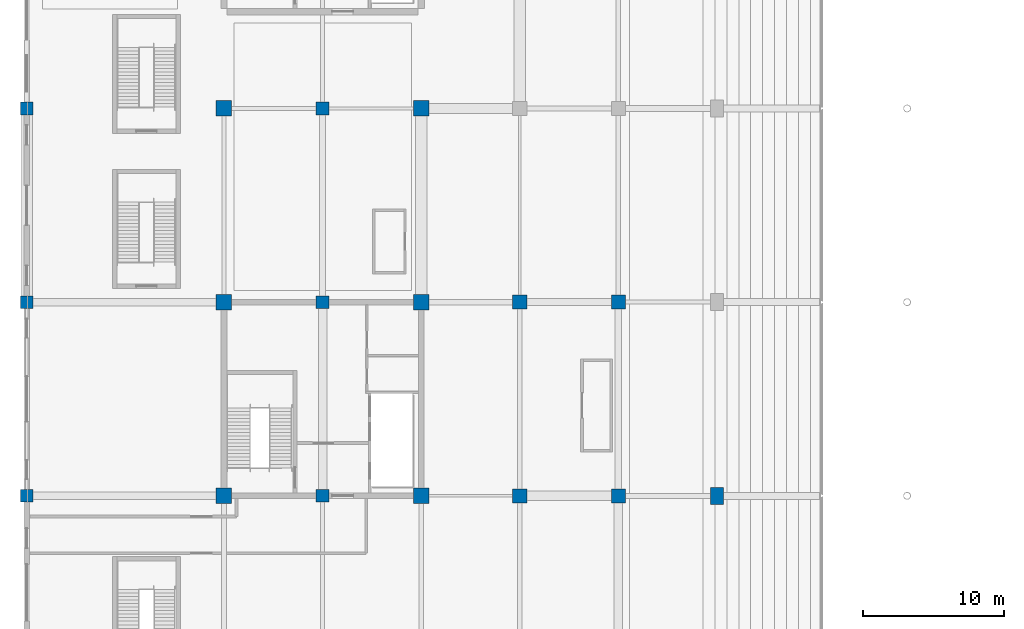
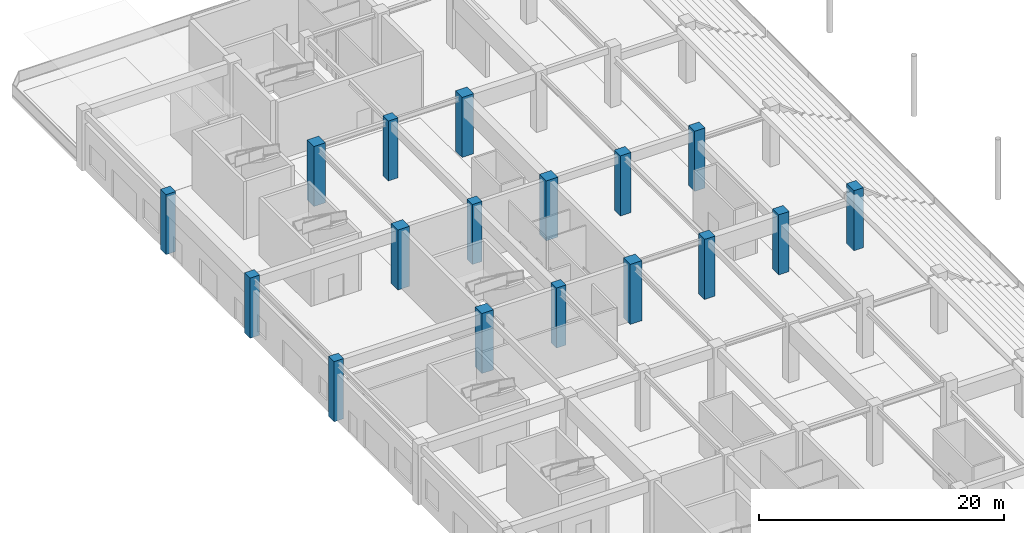
# One storey, part 7 of 73: 17 columns.
"""IFC4 building model written with IfcOpenShell, lengths in metres."""

from ifc_helpers import new_model, si_unit, direction, frame, origin, origin_2d, place, context, subcontext, project, spatial, rectangle, extrude, material, material_profile, profile_set, type_object, element, save


model = new_model("IFC4")

# Units and contexts
model_context = context("Model", 3, precision=1e-05, world=origin(), true_north=direction((0.0, 1.0)))
body_context = subcontext(model_context, "Body", "Model", "MODEL_VIEW")
ifc_project = project(units=[si_unit("LENGTHUNIT", "METRE"), si_unit("AREAUNIT", "SQUARE_METRE"), si_unit("VOLUMEUNIT", "CUBIC_METRE"), si_unit("PLANEANGLEUNIT", "RADIAN"), si_unit("MASSUNIT", "GRAM", prefix="KILO")], contexts=[model_context])

# Site, building, storey
site_placement = place(None, origin())
site = spatial("IfcSite", under=ifc_project, at=site_placement, CompositionType="ELEMENT")
building_placement = place(site_placement, origin())
building = spatial("IfcBuilding", under=site, at=building_placement, Name="Linyun Crest Stadium", CompositionType="ELEMENT")
storey_placement = place(building_placement, origin())
storey = spatial("IfcBuildingStorey", under=building, at=storey_placement, Name="L01", CompositionType="ELEMENT", Elevation=0.0)

# Columns
ifc_material_1 = material(Name="Concrete C50", Category="concrete")
ifc_material_profile_1 = material_profile(ifc_material_1, rectangle(XDim=0.89990234375, YDim=0.89990234375, at=origin_2d()), Name="RC 900x900")
ifc_profile_set_1 = profile_set([ifc_material_profile_1], Name="Concrete C50")
column_type_1 = type_object("IfcColumnType", Name="C04", PredefinedType="COLUMN", material=ifc_profile_set_1)
for number, where, z_axis, x_axis, name in (
    (1, (-98.0, 2.125, 0.0), (0.0, 0.0, 1.0), (1.0, 0.0, 0.0), "Column C04 L01 26"),
    (2, (-98.0, 15.875, 0.0), (0.0, 0.0, 1.0), (1.0, 0.0, 0.0), "Column C04 L01 32"),
    (3, (-98.0, 29.625, 0.0), (0.0, 0.0, 1.0), (1.0, 0.0, 0.0), "Column C04 L01 38"),
    (4, (-77.0, 2.125, 0.0), (0.0, 0.0, 1.0), (1.0, 0.0, 0.0), "Column C04 L01 126"),
    (5, (-77.0, 15.875, 0.0), (0.0, 0.0, 1.0), (1.0, 0.0, 0.0), "Column C04 L01 131"),
    (6, (-77.0, 29.625, 0.0), (0.0, 0.0, 1.0), (1.0, 0.0, 0.0), "Column C04 L01 136"),
):
    element("IfcColumn", number, at=place(storey_placement, frame(where, z_axis=z_axis, x_axis=x_axis)), inside=storey, type_object=column_type_1, Name=name, PredefinedType="COLUMN", context=body_context, shape_type="SweptSolid", body=[
        extrude(rectangle(XDim=0.89990234375, YDim=0.89990234375, at=origin_2d()), origin(), (0.0, 0.0, 1.0), 5.998046875),
    ])
ifc_material_2 = material(Name="Concrete C50", Category="concrete")
ifc_material_profile_2 = material_profile(ifc_material_2, rectangle(XDim=1.0, YDim=1.0, at=origin_2d()), Name="RC 1000x1000")
ifc_profile_set_2 = profile_set([ifc_material_profile_2], Name="Concrete C50")
column_type_2 = type_object("IfcColumnType", Name="C05", PredefinedType="COLUMN", material=ifc_profile_set_2)
for number, where, z_axis, x_axis, name in (
    (7, (-63.0, 2.125, 0.0), (0.0, 0.0, 1.0), (1.0, 0.0, 0.0), "Column C05 L01 222"),
    (8, (-63.0, 15.875, 0.0), (0.0, 0.0, 1.0), (1.0, 0.0, 0.0), "Column C05 L01 227"),
    (9, (-56.0, 2.125, 0.0), (0.0, 0.0, 1.0), (1.0, 0.0, 0.0), "Column C05 L01 258"),
    (10, (-56.0, 15.875, 0.0), (0.0, 0.0, 1.0), (1.0, 0.0, 0.0), "Column C05 L01 262"),
):
    element("IfcColumn", number, at=place(storey_placement, frame(where, z_axis=z_axis, x_axis=x_axis)), inside=storey, type_object=column_type_2, Name=name, PredefinedType="COLUMN", context=body_context, shape_type="SweptSolid", body=[
        extrude(rectangle(XDim=1.0, YDim=1.0, at=origin_2d()), origin(), (0.0, 0.0, 1.0), 5.998046875),
    ])
ifc_material_3 = material(Name="Concrete C50", Category="concrete")
ifc_material_profile_3 = material_profile(ifc_material_3, rectangle(XDim=1.10009765625, YDim=1.10009765625, at=origin_2d()), Name="RC 1100x1100")
ifc_profile_set_3 = profile_set([ifc_material_profile_3], Name="Concrete C50")
column_type_3 = type_object("IfcColumnType", Name="C06", PredefinedType="COLUMN", material=ifc_profile_set_3)
for number, where, z_axis, x_axis, name in (
    (11, (-84.0, 2.125, 0.0), (0.0, 0.0, 1.0), (1.0, 0.0, 0.0), "Column C06 L01 78"),
    (12, (-84.0, 15.875, 0.0), (0.0, 0.0, 1.0), (1.0, 0.0, 0.0), "Column C06 L01 85"),
    (13, (-84.0, 29.625, 0.0), (0.0, 0.0, 1.0), (1.0, 0.0, 0.0), "Column C06 L01 92"),
    (14, (-70.0, 2.125, 0.0), (0.0, 0.0, 1.0), (1.0, 0.0, 0.0), "Column C06 L01 174"),
    (15, (-70.0, 15.875, 0.0), (0.0, 0.0, 1.0), (1.0, 0.0, 0.0), "Column C06 L01 181"),
    (16, (-70.0, 29.625, 0.0), (0.0, 0.0, 1.0), (1.0, 0.0, 0.0), "Column C06 L01 188"),
):
    element("IfcColumn", number, at=place(storey_placement, frame(where, z_axis=z_axis, x_axis=x_axis)), inside=storey, type_object=column_type_3, Name=name, PredefinedType="COLUMN", context=body_context, shape_type="SweptSolid", body=[
        extrude(rectangle(XDim=1.10009765625, YDim=1.10009765625, at=origin_2d()), origin(), (0.0, 0.0, 1.0), 5.998046875),
    ])
ifc_material_4 = material(Name="Concrete C50", Category="concrete")
ifc_material_profile_4 = material_profile(ifc_material_4, rectangle(XDim=0.89990234375, YDim=1.199951171875, at=origin_2d()), Name="RC 1200x900")
ifc_profile_set_4 = profile_set([ifc_material_profile_4], Name="Concrete C50")
column_type_4 = type_object("IfcColumnType", Name="C11", PredefinedType="COLUMN", material=ifc_profile_set_4)
column_placement = place(storey_placement, frame((-49.0, 2.125, 0.0), z_axis=(0.0, 0.0, 1.0), x_axis=(1.0, 0.0, 0.0)))
element("IfcColumn", 17, at=column_placement, inside=storey, type_object=column_type_4, Name="Column C11 L01 282", PredefinedType="COLUMN", context=body_context, shape_type="SweptSolid", body=[
    extrude(rectangle(XDim=0.89990234375, YDim=1.199951171875, at=origin_2d()), origin(), (0.0, 0.0, 1.0), 6.0),
])

save(model, "model.ifc")
